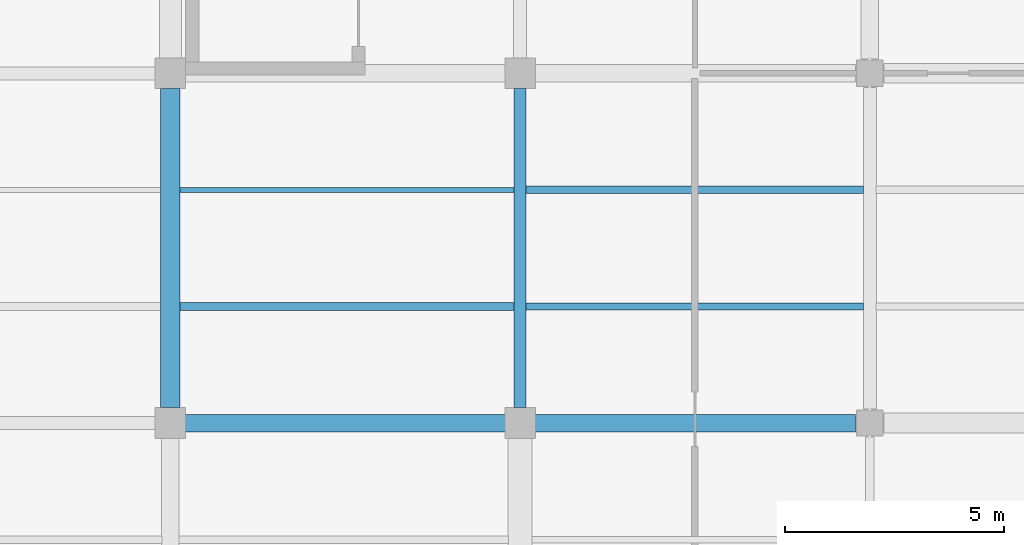
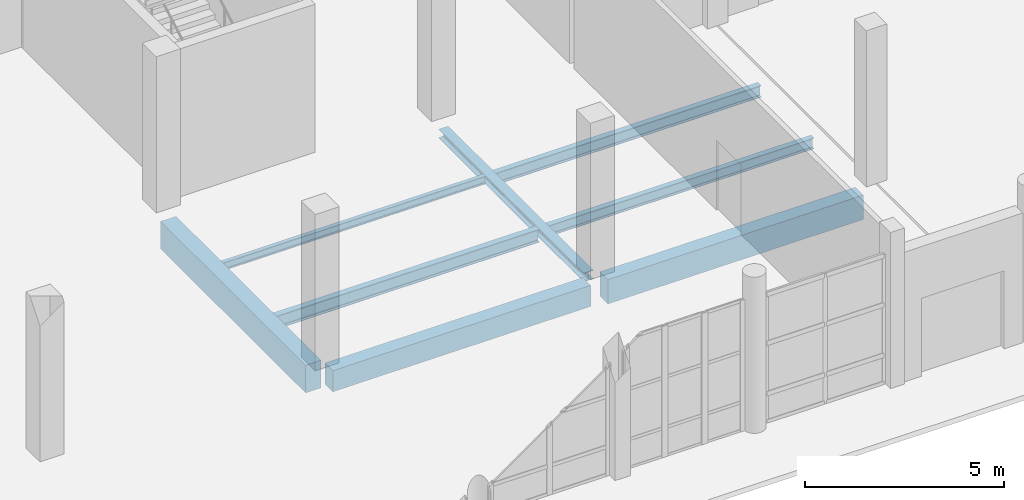
# One storey, part 19 of 156: 8 beams.
"""IFC4 building model written with IfcOpenShell, lengths in metres."""

import ifcopenshell
import ifcopenshell.guid

model = None  # the IFC model being written
_history = None  # IfcOwnerHistory: only IFC2X3 demands one
_inside = {}  # id of a spatial element -> (the spatial element, [elements in it])
_under = {}  # id of a project, library or spatial element -> (it, [spatial elements below it])
_declared = {}  # id of a project -> (the project, [libraries it declares])
_typed = {}  # id of a type object -> (the type object, [elements of that type])
_made_of = {}  # id of a material, layer set ... -> (it, [elements and type objects made of it])


def new_model(schema):
    """Start an empty IFC model of exactly this schema.

    Asked for "IFC4X3", IfcOpenShell would pick the latest addendum, in which some entities
    have other attributes; the version numbers below select the first issue.
    IFC2X3 requires an IfcOwnerHistory on every rooted entity: one is made here for all.
    """
    global model, _history
    if schema == "IFC4X3":
        model = ifcopenshell.file(schema_version=(4, 3, 0, 0))
    else:
        model = ifcopenshell.file(schema=schema)
    _inside.clear()
    _under.clear()
    _declared.clear()
    _typed.clear()
    _made_of.clear()
    _history = None
    if model.schema == "IFC2X3":
        org = make("IfcOrganization", Name="unknown")
        user = make(
            "IfcPersonAndOrganization",
            ThePerson=make("IfcPerson", FamilyName="unknown"),
            TheOrganization=org,
        )
        app = make(
            "IfcApplication",
            ApplicationDeveloper=org,
            Version="unknown",
            ApplicationFullName="unknown",
            ApplicationIdentifier="unknown",
        )
        _history = make(
            "IfcOwnerHistory",
            OwningUser=user,
            OwningApplication=app,
            ChangeAction="ADDED",
            CreationDate=0,
        )
    return model


def make(cls, **values):
    """One entity of the class cls with the attributes given. An attribute that is None is left unset."""
    return model.create_entity(
        cls, **{name: value for name, value in values.items() if value is not None}
    )


def rooted(cls, **values):
    """An entity with a GlobalId (a new one), such as an element, a storey or a relation."""
    return make(cls, GlobalId=ifcopenshell.guid.new(), OwnerHistory=_history, **values)


def si_unit(unit_type, name, prefix=None):
    """IfcSIUnit, for example si_unit("LENGTHUNIT", "METRE", prefix="MILLI")."""
    return make("IfcSIUnit", UnitType=unit_type, Prefix=prefix, Name=name)


def assignment(units):
    """IfcUnitAssignment: the units of a project."""
    return None if units is None else make("IfcUnitAssignment", Units=units)


def point(xyz):
    """IfcCartesianPoint."""
    return None if xyz is None else make("IfcCartesianPoint", Coordinates=xyz)


def direction(xyz):
    """IfcDirection."""
    return None if xyz is None else make("IfcDirection", DirectionRatios=xyz)


def frame(location, z_axis=None, x_axis=None):
    """IfcAxis2Placement3D, a coordinate frame: its origin and axes. An axis left out is left unset."""
    return make(
        "IfcAxis2Placement3D",
        Location=point(location),
        Axis=direction(z_axis),
        RefDirection=direction(x_axis),
    )


def frame_2d(location, x_axis=None):
    """IfcAxis2Placement2D, a coordinate frame in the plane: its origin and x axis."""
    return make(
        "IfcAxis2Placement2D", Location=point(location), RefDirection=direction(x_axis)
    )


def origin():
    """The frame at (0, 0, 0) with its axes left unset."""
    return frame((0.0, 0.0, 0.0))


def origin_2d():
    """The frame at (0, 0) in the plane with its x axis left unset."""
    return frame_2d((0.0, 0.0))


def place(relative_to, where):
    """IfcLocalPlacement: puts the frame where relative to a parent placement (None: the world)."""
    return make(
        "IfcLocalPlacement", PlacementRelTo=relative_to, RelativePlacement=where
    )


def context(
    kind, dimensions, precision=None, world=None, true_north=None, identifier=None
):
    """IfcGeometricRepresentationContext, for example the 3D "Model" context."""
    return make(
        "IfcGeometricRepresentationContext",
        ContextIdentifier=identifier,
        ContextType=kind,
        CoordinateSpaceDimension=dimensions,
        Precision=precision,
        WorldCoordinateSystem=world,
        TrueNorth=true_north,
    )


def subcontext(parent, identifier, kind, view, scale=None):
    """IfcGeometricRepresentationSubContext, for example "Body" below "Model"."""
    return make(
        "IfcGeometricRepresentationSubContext",
        ContextIdentifier=identifier,
        ContextType=kind,
        ParentContext=parent,
        TargetScale=scale,
        TargetView=view,
    )


def project(units=None, contexts=None):
    """IfcProject with its units and contexts."""
    return rooted(
        "IfcProject",
        Name="project",
        RepresentationContexts=contexts,
        UnitsInContext=assignment(units),
    )


def spatial(cls, under=None, at=None, **own):
    """A site, building, storey or space (cls), placed at a placement, below another one or the project."""
    s = rooted(cls, ObjectPlacement=at, **own)
    if under is not None:
        _under.setdefault(under.id(), (under, []))[1].append(s)
    return s


def profile(cls, at=None, kind="AREA", **sizes):
    """A parametric profile (cls). Its sizes go by their IFC names, for example OverallWidth=200.0."""
    return make(cls, ProfileType=kind, Position=at, **sizes)


def rectangle(**sizes):
    """IfcRectangleProfileDef."""
    return profile("IfcRectangleProfileDef", **sizes)


def i_section(**sizes):
    """IfcIShapeProfileDef."""
    return profile("IfcIShapeProfileDef", **sizes)


def extrude(swept, where, along, depth):
    """IfcExtrudedAreaSolid: the profile swept, set in the frame where, extruded along a direction by depth."""
    return make(
        "IfcExtrudedAreaSolid",
        SweptArea=swept,
        Position=where,
        ExtrudedDirection=direction(along),
        Depth=depth,
    )


def shape(context_of_items, identifier, shape_type, items):
    """IfcShapeRepresentation: the items that make up one representation, for example the "Body"."""
    return make(
        "IfcShapeRepresentation",
        ContextOfItems=context_of_items,
        RepresentationIdentifier=identifier,
        RepresentationType=shape_type,
        Items=items,
    )


def material(Name=None, Category=None):
    """IfcMaterial."""
    return make("IfcMaterial", Name=Name, Category=Category)


def material_profile(
    of_material, cross_section, Name=None, Category=None, Priority=None
):
    """IfcMaterialProfile: a cross section and its material."""
    return make(
        "IfcMaterialProfile",
        Name=Name,
        Material=of_material,
        Profile=cross_section,
        Priority=Priority,
        Category=Category,
    )


def profile_set(profiles, Name=None, composite=None):
    """IfcMaterialProfileSet."""
    return make(
        "IfcMaterialProfileSet",
        Name=Name,
        MaterialProfiles=profiles,
        CompositeProfile=composite,
    )


def made_of(thing, what):
    """Note that an element or type object is made of a material, layer set ...; save() writes the relation."""
    if what is not None:
        _made_of.setdefault(what.id(), (what, []))[1].append(thing)
    return thing


def type_object(cls, material=None, **own):
    """A type object (cls), such as IfcWallType, which elements share."""
    return made_of(rooted(cls, **own), material)


def element(
    cls,
    number,
    at=None,
    inside=None,
    cuts=None,
    type_object=None,
    material=None,
    context=None,
    identifier="Body",
    shape_type=None,
    held_by="IfcProductDefinitionShape",
    body=None,
    shapes=None,
    **own,
):
    """One element of the class cls, such as IfcWall. Its Tag is "e" and its number.

    at: its placement. inside: the storey or other place that contains it. cuts: it is an
    opening in that element (IfcRelVoidsElement). A single representation is given by context,
    identifier, shape_type and body (its items); several are given by shapes. held_by: the class
    of the entity that holds the representations. save() writes the other relations.
    """
    e = rooted(cls, Tag="e%d" % number, ObjectPlacement=at, **own)
    if body is not None:
        shapes = [shape(context, identifier, shape_type, body)]
    if shapes is not None:
        e.Representation = make(held_by, Representations=shapes)
    if inside is not None:
        _inside.setdefault(inside.id(), (inside, []))[1].append(e)
    if cuts is not None:
        rooted(
            "IfcRelVoidsElement", RelatingBuildingElement=cuts, RelatedOpeningElement=e
        )
    if type_object is not None:
        _typed.setdefault(type_object.id(), (type_object, []))[1].append(e)
    return made_of(e, material)


def aggregate(whole, parts):
    """IfcRelAggregates: a whole, such as a stair, and the parts it consists of."""
    return rooted("IfcRelAggregates", RelatingObject=whole, RelatedObjects=parts)


def save(model, path):
    """Write the relations noted so far, then the file.

    IfcRelAggregates (storeys below a building ...), IfcRelContainedInSpatialStructure (elements
    in a storey), IfcRelDefinesByType, IfcRelAssociatesMaterial and IfcRelDeclares: one each for
    every whole, place, type object, material and project.
    """
    for whole, parts in _under.values():
        aggregate(whole, parts)
    for where, things in _inside.values():
        rooted(
            "IfcRelContainedInSpatialStructure",
            RelatedElements=things,
            RelatingStructure=where,
        )
    for kind, things in _typed.values():
        rooted("IfcRelDefinesByType", RelatedObjects=things, RelatingType=kind)
    for what, things in _made_of.values():
        rooted("IfcRelAssociatesMaterial", RelatedObjects=things, RelatingMaterial=what)
    for by, libraries in _declared.values():
        rooted("IfcRelDeclares", RelatingContext=by, RelatedDefinitions=libraries)
    model.write(path)


model = new_model("IFC4")

# Units and contexts
model_context = context("Model", 3, precision=1e-05, world=origin(), true_north=direction((0.0, 1.0)))
body_context = subcontext(model_context, "Body", "Model", "MODEL_VIEW")
ifc_project = project(units=[si_unit("LENGTHUNIT", "METRE"), si_unit("AREAUNIT", "SQUARE_METRE"), si_unit("VOLUMEUNIT", "CUBIC_METRE"), si_unit("PLANEANGLEUNIT", "RADIAN"), si_unit("MASSUNIT", "GRAM", prefix="KILO")], contexts=[model_context])

# Site, building, storey
site_placement = place(None, origin())
site = spatial("IfcSite", under=ifc_project, at=site_placement, CompositionType="ELEMENT")
building_placement = place(site_placement, origin())
building = spatial("IfcBuilding", under=site, at=building_placement, Name="Luwemba Playhouse", CompositionType="ELEMENT")
storey_placement = place(building_placement, origin())
storey = spatial("IfcBuildingStorey", under=building, at=storey_placement, Name="L00", CompositionType="ELEMENT", Elevation=0.0)

# Beams
ifc_material_1 = material(Name="Concrete C40/50", Category="concrete")
ifc_material_profile_1 = material_profile(ifc_material_1, rectangle(XDim=0.39990234375, YDim=0.64990234375, at=origin_2d()))
ifc_profile_set_1 = profile_set([ifc_material_profile_1], Name="Concrete C40/50")
beam_type_1 = type_object("IfcBeamType", Name="BM-RB02", PredefinedType="BEAM", material=ifc_profile_set_1)
beam_1_placement = place(storey_placement, frame((36.25, 11.0, -0.625), z_axis=(1.0, 0.0, 0.0), x_axis=(0.0, 1.0, 0.0)))
element("IfcBeam", 1, at=beam_1_placement, inside=storey, type_object=beam_type_1, Name="L00 grid girder 0161", PredefinedType="BEAM", context=body_context, shape_type="SweptSolid", body=[
    extrude(rectangle(XDim=0.39990234375, YDim=0.64990234375, at=origin_2d()), origin(), (0.0, 0.0, 1.0), 7.5),
])
ifc_material_profile_2 = material_profile(ifc_material_1, rectangle(XDim=0.39990234375, YDim=0.75, at=origin_2d()))
ifc_profile_set_2 = profile_set([ifc_material_profile_2], Name="Concrete C40/50")
beam_type_2 = type_object("IfcBeamType", Name="BM-RB03", PredefinedType="BEAM", material=ifc_profile_set_2)
beam_2_placement = place(storey_placement, frame((44.25, 11.0, -0.675048828125), z_axis=(1.0, 0.0, 0.0), x_axis=(0.0, 1.0, 0.0)))
element("IfcBeam", 2, at=beam_2_placement, inside=storey, type_object=beam_type_2, Name="L00 grid girder 0162", PredefinedType="BEAM", context=body_context, shape_type="SweptSolid", body=[
    extrude(rectangle(XDim=0.39990234375, YDim=0.75, at=origin_2d()), origin(), (0.0, 0.0, 1.0), 7.425048828125),
])
ifc_material_profile_3 = material_profile(ifc_material_1, rectangle(XDim=0.449951171875, YDim=0.85009765625, at=origin_2d()))
ifc_profile_set_3 = profile_set([ifc_material_profile_3], Name="Concrete C40/50")
beam_type_3 = type_object("IfcBeamType", Name="BM-RB05", PredefinedType="BEAM", material=ifc_profile_set_3)
beam_3_placement = place(storey_placement, frame((36.0, 11.35009765625, -0.72509765625), z_axis=(0.0, 1.0, 0.0), x_axis=(-1.0, 0.0, 0.0)))
element("IfcBeam", 3, at=beam_3_placement, inside=storey, type_object=beam_type_3, Name="L00 transverse girder 0191", PredefinedType="BEAM", context=body_context, shape_type="SweptSolid", body=[
    extrude(rectangle(XDim=0.449951171875, YDim=0.85009765625, at=origin_2d()), origin(), (0.0, 0.0, 1.0), 7.2998046875),
])
ifc_material_2 = material(Name="Steel S355", Category="steel")
ifc_material_profile_4 = material_profile(ifc_material_2, i_section(OverallWidth=0.280029296875, OverallDepth=0.27001953125, WebThickness=0.008056640625, FlangeThickness=0.012939453125, FilletRadius=0.02392578125, at=origin_2d()))
ifc_profile_set_4 = profile_set([ifc_material_profile_4], Name="Steel S355")
beam_type_4 = type_object("IfcBeamType", Name="BM-SB02", PredefinedType="BEAM", material=ifc_profile_set_4)
beam_4_placement = place(storey_placement, frame((44.0, 11.35009765625, -0.43505859375), z_axis=(0.0, 1.0, 0.0), x_axis=(-1.0, 0.0, 0.0)))
element("IfcBeam", 4, at=beam_4_placement, inside=storey, type_object=beam_type_4, Name="L00 transverse girder 0194", PredefinedType="BEAM", context=body_context, shape_type="SweptSolid", body=[
    extrude(i_section(OverallWidth=0.280029296875, OverallDepth=0.27001953125, WebThickness=0.008056640625, FlangeThickness=0.012939453125, FilletRadius=0.02392578125, at=origin_2d()), origin(), (0.0, 0.0, 1.0), 7.2998046875),
])
ifc_material_profile_5 = material_profile(ifc_material_2, i_section(OverallWidth=0.1201171875, OverallDepth=0.239990234375, WebThickness=0.006103515625, FlangeThickness=0.009765625, FilletRadius=0.014892578125, at=origin_2d()))
ifc_profile_set_5 = profile_set([ifc_material_profile_5], Name="Steel S355")
beam_type_5 = type_object("IfcBeamType", Name="BM-SJ03", PredefinedType="JOIST", material=ifc_profile_set_5)
beam_5_placement = place(storey_placement, frame((36.220947265625, 16.333251953125, -0.419921875), z_axis=(1.0, 0.0, 0.0), x_axis=(0.0, 1.0, 0.0)))
element("IfcBeam", 5, at=beam_5_placement, inside=storey, type_object=beam_type_5, Name="L00 composite floor joist 0143", PredefinedType="JOIST", context=body_context, shape_type="SweptSolid", body=[
    extrude(i_section(OverallWidth=0.1201171875, OverallDepth=0.239990234375, WebThickness=0.006103515625, FlangeThickness=0.009765625, FilletRadius=0.014892578125, at=origin_2d()), origin(), (0.0, 0.0, 1.0), 7.64306640625),
])
ifc_material_profile_6 = material_profile(ifc_material_2, i_section(OverallWidth=0.159912109375, OverallDepth=0.330078125, WebThickness=0.007568359375, FlangeThickness=0.011474609375, FilletRadius=0.01806640625, at=origin_2d()))
ifc_profile_set_6 = profile_set([ifc_material_profile_6], Name="Steel S355")
beam_type_6 = type_object("IfcBeamType", Name="BM-SJ06", PredefinedType="JOIST", material=ifc_profile_set_6)
beam_6_placement = place(storey_placement, frame((44.135986328125, 13.666748046875, -0.465087890625), z_axis=(1.0, 0.0, 0.0), x_axis=(0.0, 1.0, 0.0)))
element("IfcBeam", 6, at=beam_6_placement, inside=storey, type_object=beam_type_6, Name="L00 composite floor joist 0146", PredefinedType="JOIST", context=body_context, shape_type="SweptSolid", body=[
    extrude(i_section(OverallWidth=0.159912109375, OverallDepth=0.330078125, WebThickness=0.007568359375, FlangeThickness=0.011474609375, FilletRadius=0.01806640625, at=origin_2d()), origin(), (0.0, 0.0, 1.0), 7.718017578125),
])
ifc_material_profile_7 = material_profile(ifc_material_2, i_section(OverallWidth=0.169921875, OverallDepth=0.360107421875, WebThickness=0.008056640625, FlangeThickness=0.0126953125, FilletRadius=0.01806640625, at=origin_2d()))
ifc_profile_set_7 = profile_set([ifc_material_profile_7], Name="Steel S355")
beam_type_7 = type_object("IfcBeamType", Name="BM-SJ07", PredefinedType="JOIST", material=ifc_profile_set_7)
beam_7_placement = place(storey_placement, frame((44.135986328125, 16.333251953125, -0.47998046875), z_axis=(1.0, 0.0, 0.0), x_axis=(0.0, 1.0, 0.0)))
element("IfcBeam", 7, at=beam_7_placement, inside=storey, type_object=beam_type_7, Name="L00 composite floor joist 0147", PredefinedType="JOIST", context=body_context, shape_type="SweptSolid", body=[
    extrude(i_section(OverallWidth=0.169921875, OverallDepth=0.360107421875, WebThickness=0.008056640625, FlangeThickness=0.0126953125, FilletRadius=0.01806640625, at=origin_2d()), origin(), (0.0, 0.0, 1.0), 7.718017578125),
])
ifc_material_profile_8 = material_profile(ifc_material_2, i_section(OverallWidth=0.179931640625, OverallDepth=0.39990234375, WebThickness=0.008544921875, FlangeThickness=0.013427734375, FilletRadius=0.02099609375, at=origin_2d()))
ifc_profile_set_8 = profile_set([ifc_material_profile_8], Name="Steel S355")
beam_type_8 = type_object("IfcBeamType", Name="BM-SJ08", PredefinedType="JOIST", material=ifc_profile_set_8)
beam_8_placement = place(storey_placement, frame((36.220947265625, 13.666748046875, -0.5), z_axis=(1.0, 0.0, 0.0), x_axis=(0.0, 1.0, 0.0)))
element("IfcBeam", 8, at=beam_8_placement, inside=storey, type_object=beam_type_8, Name="L00 composite floor joist 0142", PredefinedType="JOIST", context=body_context, shape_type="SweptSolid", body=[
    extrude(i_section(OverallWidth=0.179931640625, OverallDepth=0.39990234375, WebThickness=0.008544921875, FlangeThickness=0.013427734375, FilletRadius=0.02099609375, at=origin_2d()), origin(), (0.0, 0.0, 1.0), 7.64306640625),
])

save(model, "model.ifc")
